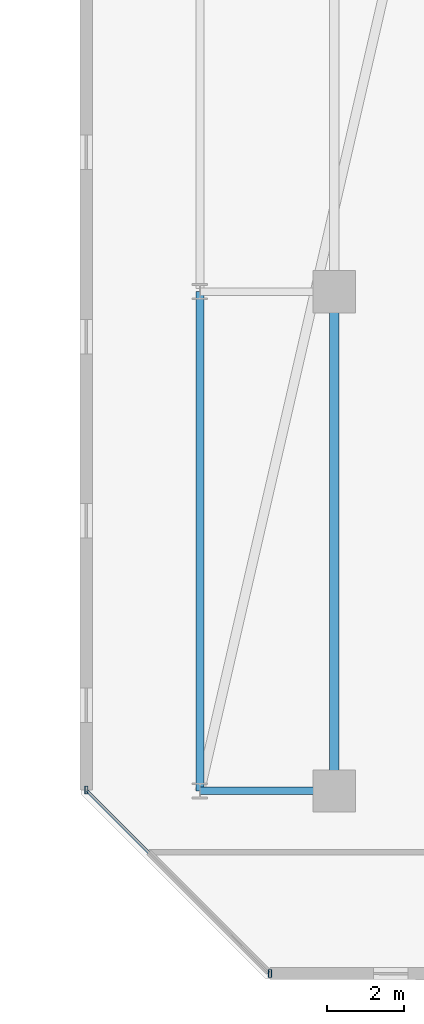
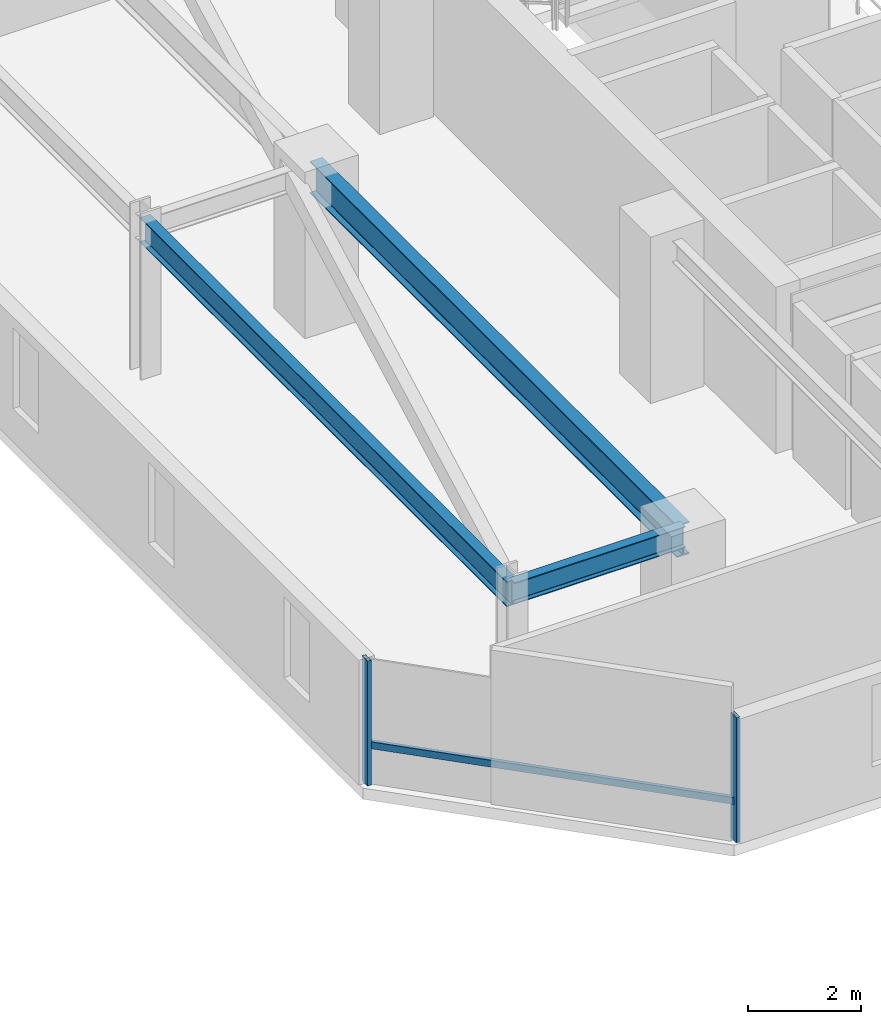
# One storey, part 6 of 33: 3 beams, 3 members, 1 element without a shape of its own.
"""IFC4 building model written with IfcOpenShell, lengths in metres."""

from ifc_helpers import new_model, si_unit, direction, frame, origin, origin_2d, place, context, subcontext, project, spatial, hollow_rectangle, i_section, extrude, material, material_profile, profile_set, type_object, element, aggregate, save


model = new_model("IFC4")

# Units and contexts
model_context = context("Model", 3, precision=1e-05, world=origin(), true_north=direction((0.0, 1.0)))
body_context = subcontext(model_context, "Body", "Model", "MODEL_VIEW")
ifc_project = project(units=[si_unit("LENGTHUNIT", "METRE"), si_unit("AREAUNIT", "SQUARE_METRE"), si_unit("VOLUMEUNIT", "CUBIC_METRE"), si_unit("PLANEANGLEUNIT", "RADIAN"), si_unit("MASSUNIT", "GRAM", prefix="KILO")], contexts=[model_context])

# Site, building, storey
site_placement = place(None, origin())
site = spatial("IfcSite", under=ifc_project, at=site_placement, CompositionType="ELEMENT")
building_placement = place(site_placement, origin())
building = spatial("IfcBuilding", under=site, at=building_placement, Name="Thornwick Lancets Civic Towers", CompositionType="ELEMENT")
storey_placement = place(building_placement, frame((0.0, 0.0, 192.89990234375)))
storey = spatial("IfcBuildingStorey", under=building, at=storey_placement, Name="L51", CompositionType="ELEMENT", Elevation=192.89990234375)

# Beams
ifc_material_1 = material(Name="Steel S355JR", Category="steel")
ifc_material_profile_1 = material_profile(ifc_material_1, i_section(OverallWidth=0.210693359375, OverallDepth=0.53955078125, WebThickness=0.01171875, FlangeThickness=0.018798828125, FilletRadius=0.0126953125, at=origin_2d()), Name="UKB 533x210x109")
ifc_profile_set_1 = profile_set([ifc_material_profile_1], Name="Steel S355JR")
beam_type_1 = type_object("IfcBeamType", Name="BM_EDGE_533_109", PredefinedType="SPANDREL", material=ifc_profile_set_1)
beam_1_placement = place(storey_placement, frame((67.699951171875, 14.0, 3.09033203125), z_axis=(0.0, 1.0, 0.0), x_axis=(-1.0, 0.0, 0.0)))
element("IfcBeam", 1, at=beam_1_placement, inside=storey, type_object=beam_type_1, Name="BM-EDGE-L51-B-S2-1", PredefinedType="SPANDREL", context=body_context, shape_type="SweptSolid", body=[
    extrude(i_section(OverallWidth=0.210693359375, OverallDepth=0.53955078125, WebThickness=0.01171875, FlangeThickness=0.018798828125, FilletRadius=0.0126953125, at=origin_2d()), origin(), (0.0, 0.0, 1.0), 13.0),
])
ifc_material_profile_2 = material_profile(ifc_material_1, i_section(OverallWidth=0.255859375, OverallDepth=0.69287109375, WebThickness=0.014404296875, FlangeThickness=0.023681640625, FilletRadius=0.01513671875, at=origin_2d()), Name="UKB 686x254x170")
ifc_profile_set_2 = profile_set([ifc_material_profile_2], Name="Steel S355JR")
beam_type_2 = type_object("IfcBeamType", Name="BM_GIRD_686_170", PredefinedType="BEAM", material=ifc_profile_set_2)
beam_2_placement = place(storey_placement, frame((71.199951171875, 14.0, 3.013671875), z_axis=(0.0, 1.0, 0.0), x_axis=(-1.0, 0.0, 0.0)))
element("IfcBeam", 2, at=beam_2_placement, inside=storey, type_object=beam_type_2, Name="BM-SPINE-L51-B-6-7", PredefinedType="BEAM", context=body_context, shape_type="SweptSolid", body=[
    extrude(i_section(OverallWidth=0.255859375, OverallDepth=0.69287109375, WebThickness=0.014404296875, FlangeThickness=0.023681640625, FilletRadius=0.01513671875, at=origin_2d()), origin(), (0.0, 0.0, 1.0), 13.0),
])
ifc_material_profile_3 = material_profile(ifc_material_1, i_section(OverallWidth=0.19189453125, OverallDepth=0.46337890625, WebThickness=0.010498046875, FlangeThickness=0.017578125, FilletRadius=0.01025390625, at=origin_2d()), Name="UKB 457x191x89")
ifc_profile_set_3 = profile_set([ifc_material_profile_3], Name="Steel S355JR")
beam_type_3 = type_object("IfcBeamType", Name="BM_JOIST_457_89", PredefinedType="JOIST", material=ifc_profile_set_3)
beam_3_placement = place(storey_placement, frame((71.199951171875, 14.0, 3.12841796875), z_axis=(-1.0, 0.0, 0.0), x_axis=(0.0, -1.0, 0.0)))
element("IfcBeam", 3, at=beam_3_placement, inside=storey, type_object=beam_type_3, Name="BM-RAD-L51-B07", PredefinedType="JOIST", context=body_context, shape_type="SweptSolid", body=[
    extrude(i_section(OverallWidth=0.19189453125, OverallDepth=0.46337890625, WebThickness=0.010498046875, FlangeThickness=0.017578125, FilletRadius=0.01025390625, at=origin_2d()), origin(), (0.0, 0.0, 1.0), 3.5),
])

# Curtain wall, members
ifc_material_2 = material(Name="Mid-zone chamfered-corner unitised glass curtain wall", Category="glass")
curtain_wall_type = type_object("IfcCurtainWallType", Name="CW_SYS_04", PredefinedType="NOTDEFINED", material=ifc_material_2)
curtain_wall_placement = place(storey_placement, origin())
curtain_wall = element("IfcCurtainWall", 4, at=curtain_wall_placement, inside=storey, type_object=curtain_wall_type, Name="L51 Curtain Wall CW-L51-B-E7", PredefinedType="NOTDEFINED")
ifc_material_3 = material(Name="Thermally broken bronze aluminium S355", Category="steel")
ifc_material_profile_4 = material_profile(ifc_material_3, hollow_rectangle(XDim=0.080078125, YDim=0.199951171875, WallThickness=0.006103515625, at=origin_2d()), Name="RHS 200x80x6")
ifc_profile_set_4 = profile_set([ifc_material_profile_4], Name="Thermally broken bronze aluminium S355")
member_type_1 = type_object("IfcMemberType", Name="CW_MUL_200", PredefinedType="MULLION", material=ifc_profile_set_4)
member_1_placement = place(storey_placement, frame((64.74267578125, 14.02490234375, 0.0), z_axis=(0.0, 0.0, 1.0), x_axis=(1.0, 0.0, 0.0)))
member_1 = element("IfcMember", 5, at=member_1_placement, type_object=member_type_1, Name="CW-L51-B-E7 Mullion 0", PredefinedType="MULLION", context=body_context, shape_type="SweptSolid", body=[
    extrude(hollow_rectangle(XDim=0.080078125, YDim=0.199951171875, WallThickness=0.006103515625, at=origin_2d()), origin(), (0.0, 0.0, 1.0), 2.7001953125),
])
member_2_placement = place(storey_placement, frame((69.52490234375, 9.24267578125, 0.0), z_axis=(0.0, 0.0, 1.0), x_axis=(1.0, 0.0, 0.0)))
member_2 = element("IfcMember", 6, at=member_2_placement, type_object=member_type_1, Name="CW-L51-B-E7 Mullion 1", PredefinedType="MULLION", context=body_context, shape_type="SweptSolid", body=[
    extrude(hollow_rectangle(XDim=0.080078125, YDim=0.199951171875, WallThickness=0.006103515625, at=origin_2d()), origin(), (0.0, 0.0, 1.0), 2.7001953125),
])
ifc_material_profile_5 = material_profile(ifc_material_3, hollow_rectangle(XDim=0.074951171875, YDim=0.14990234375, WallThickness=0.0048828125, at=origin_2d()), Name="RHS 150x75x5")
ifc_profile_set_5 = profile_set([ifc_material_profile_5], Name="Thermally broken bronze aluminium S355")
member_type_2 = type_object("IfcMemberType", Name="CW_TRN_150", PredefinedType="USERDEFINED", material=ifc_profile_set_5)
member_3_placement = place(storey_placement, frame((64.756591796875, 14.0107421875, 0.85009765625), z_axis=(0.707106781187, -0.707106781187, 0.0), x_axis=(0.707106781187, 0.707106781187, 0.0)))
member_3 = element("IfcMember", 7, at=member_3_placement, type_object=member_type_2, Name="CW-L51-B-E7 Transom 0", ObjectType="TRANSOM", PredefinedType="USERDEFINED", context=body_context, shape_type="SweptSolid", body=[
    extrude(hollow_rectangle(XDim=0.074951171875, YDim=0.14990234375, WallThickness=0.0048828125, at=origin_2d()), origin(), (0.0, 0.0, 1.0), 6.723388671875),
])
aggregate(curtain_wall, [member_1, member_2, member_3])

save(model, "model.ifc")
